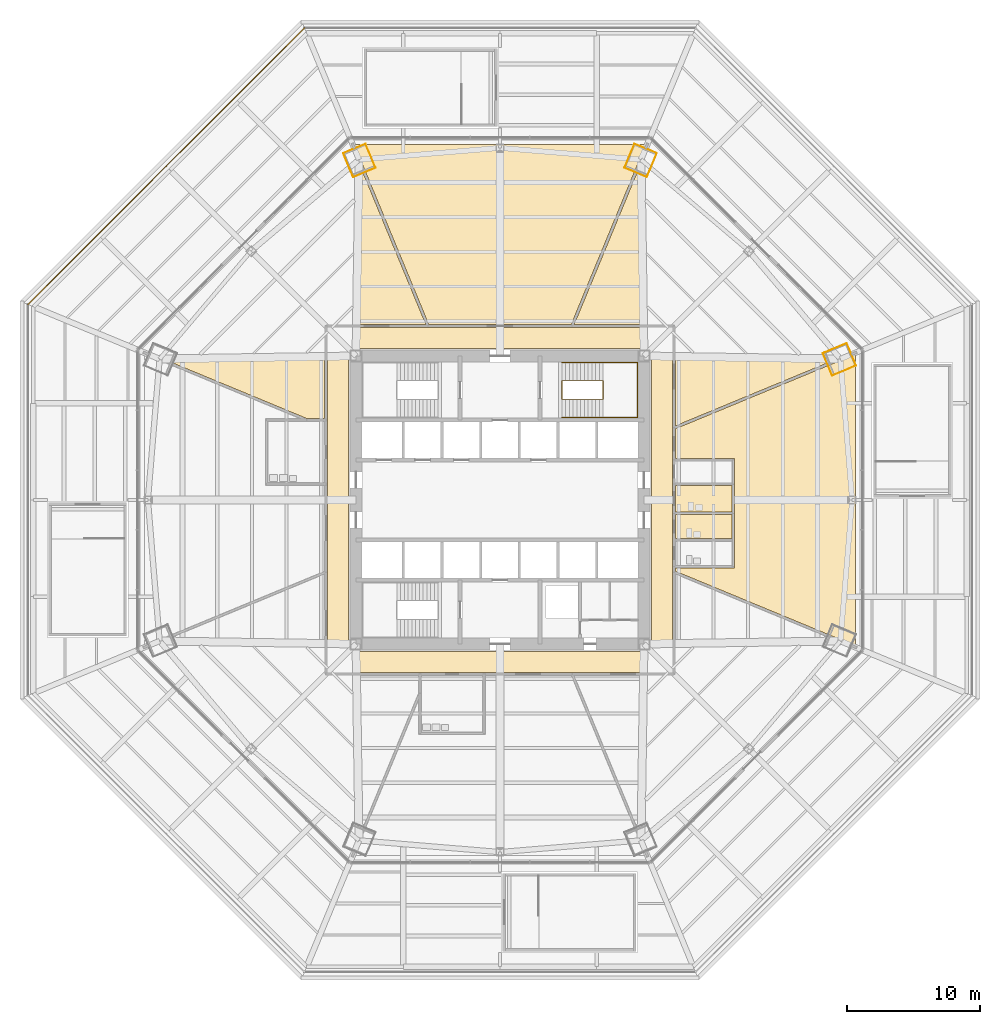
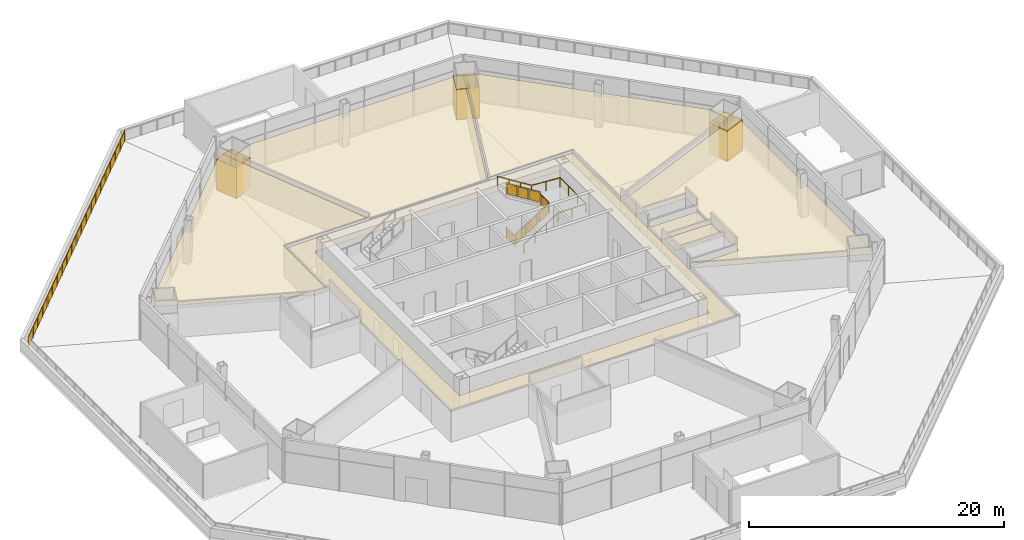
# One storey, part 22 of 25: 10 coverings, 3 railings.
"""IFC4 building model written with IfcOpenShell, lengths in metres."""

from ifc_helpers import new_model, si_unit, direction, frame, origin, origin_2d, place, context, subcontext, project, spatial, polyline, circle, outline, extrude, material, layer, layer_set, type_object, element, save


model = new_model("IFC4")

# Units and contexts
model_context = context("Model", 3, precision=1e-05, world=origin(), true_north=direction((0.0, 1.0)))
body_context = subcontext(model_context, "Body", "Model", "MODEL_VIEW")
ifc_project = project(units=[si_unit("LENGTHUNIT", "METRE"), si_unit("AREAUNIT", "SQUARE_METRE"), si_unit("VOLUMEUNIT", "CUBIC_METRE"), si_unit("PLANEANGLEUNIT", "RADIAN"), si_unit("MASSUNIT", "GRAM", prefix="KILO")], contexts=[model_context])

# Site, building, storey
site_placement = place(None, origin())
site = spatial("IfcSite", under=ifc_project, at=site_placement, CompositionType="ELEMENT")
building_placement = place(site_placement, origin())
building = spatial("IfcBuilding", under=site, at=building_placement, Name="Mashrafa Tower", CompositionType="ELEMENT")
storey_placement = place(building_placement, frame((0.0, 0.0, 28.800048828125)))
storey = spatial("IfcBuildingStorey", under=building, at=storey_placement, Name="L05", CompositionType="ELEMENT", Elevation=28.800048828125)

# Coverings
ifc_material_1 = material(Name="Gypsum board")
ifc_layer_1 = layer(ifc_material_1, 0.014892578125)
ifc_layer_set_1 = layer_set([ifc_layer_1], Name="Column casing plasterboard 15")
covering_type_1 = type_object("IfcCoveringType", Name="Column casing plasterboard 15", PredefinedType="CLADDING", material=ifc_layer_set_1)
covering_1_placement = place(storey_placement, origin())
element("IfcCovering", 1, at=covering_1_placement, inside=storey, type_object=covering_type_1, Name="Column casing L05-001", PredefinedType="CLADDING", context=body_context, shape_type="SweptSolid", body=[
    extrude(outline(polyline([(24.20703125, 11.017333984375), (24.33984375, 11.072265625), (26.017333984375, 11.76708984375), (26.7177734375, 10.076416015625), (26.5849609375, 10.021484375), (24.907470703125, 9.32666015625), (24.20703125, 11.017333984375)]), holes=[polyline([(26.579345703125, 10.035400390625), (26.697998046875, 10.084716796875), (26.00927734375, 11.74755859375), (24.345458984375, 11.058349609375), (24.226806640625, 11.00927734375), (24.91552734375, 9.34619140625), (26.579345703125, 10.035400390625)])]), origin(), (0.0, 0.0, 1.0), 2.949951171875),
])
covering_2_placement = place(storey_placement, origin())
element("IfcCovering", 2, at=covering_2_placement, inside=storey, type_object=covering_type_1, Name="Column casing L05-002", PredefinedType="CLADDING", context=body_context, shape_type="SweptSolid", body=[
    extrude(outline(polyline([(9.32666015625, 24.907470703125), (10.021484375, 26.5849609375), (10.076416015625, 26.7177734375), (11.76708984375, 26.017333984375), (11.072265625, 24.33984375), (11.017333984375, 24.20703125), (9.32666015625, 24.907470703125)]), holes=[polyline([(11.058349609375, 24.345458984375), (11.74755859375, 26.00927734375), (10.084716796875, 26.697998046875), (10.035400390625, 26.579345703125), (9.34619140625, 24.91552734375), (11.00927734375, 24.226806640625), (11.058349609375, 24.345458984375)])]), origin(), (0.0, 0.0, 1.0), 2.949951171875),
])
covering_3_placement = place(storey_placement, origin())
element("IfcCovering", 3, at=covering_3_placement, inside=storey, type_object=covering_type_1, Name="Column casing L05-003", PredefinedType="CLADDING", context=body_context, shape_type="SweptSolid", body=[
    extrude(outline(polyline([(-11.072265625, 24.33984375), (-11.76708984375, 26.017333984375), (-10.076416015625, 26.7177734375), (-10.021484375, 26.5849609375), (-9.32666015625, 24.907470703125), (-11.017333984375, 24.20703125), (-11.072265625, 24.33984375)]), holes=[polyline([(-9.34619140625, 24.91552734375), (-10.035400390625, 26.579345703125), (-10.084716796875, 26.697998046875), (-11.74755859375, 26.00927734375), (-11.058349609375, 24.345458984375), (-11.00927734375, 24.226806640625), (-9.34619140625, 24.91552734375)])]), origin(), (0.0, 0.0, 1.0), 2.949951171875),
])

# Railings
ifc_material_2 = material(Name="Stainless steel guard with glass infill", Category="steel")
railing_type_1 = type_object("IfcRailingType", Name="Roof garden guard 1100 high", PredefinedType="GUARDRAIL", material=ifc_material_2)
railing_1_placement = place(storey_placement, frame((-14.6630859375, 35.39990234375, 0.0)))
element("IfcRailing", 4, at=railing_1_placement, inside=storey, type_object=railing_type_1, Name="Roof garden guard L05 north-west", PredefinedType="GUARDRAIL", context=body_context, shape_type="SweptSolid", body=[
    extrude(circle(Radius=0.02392578125, at=origin_2d()), frame((0.0, 0.0, 1.076171875), z_axis=(-0.707106781187, -0.707106781187, 0.0), x_axis=(0.707106781187, -0.707106781187, 0.0)), (0.0, 0.0, 1.0), 29.326171875),
    extrude(circle(Radius=0.02099609375, at=origin_2d()), origin(), (0.0, 0.0, 1.0), 1.052001953125),
    extrude(circle(Radius=0.02099609375, at=origin_2d()), frame((-1.036865234375, -1.036865234375, 0.0)), (0.0, 0.0, 1.0), 1.052001953125),
    extrude(circle(Radius=0.02099609375, at=origin_2d()), frame((-2.07373046875, -2.07373046875, 0.0)), (0.0, 0.0, 1.0), 1.052001953125),
    extrude(circle(Radius=0.02099609375, at=origin_2d()), frame((-3.110595703125, -3.110595703125, 0.0)), (0.0, 0.0, 1.0), 1.052001953125),
    extrude(circle(Radius=0.02099609375, at=origin_2d()), frame((-4.1474609375, -4.1474609375, 0.0)), (0.0, 0.0, 1.0), 1.052001953125),
    extrude(circle(Radius=0.02099609375, at=origin_2d()), frame((-5.18408203125, -5.18408203125, 0.0)), (0.0, 0.0, 1.0), 1.052001953125),
    extrude(circle(Radius=0.02099609375, at=origin_2d()), frame((-6.220947265625, -6.220947265625, 0.0)), (0.0, 0.0, 1.0), 1.052001953125),
    extrude(circle(Radius=0.02099609375, at=origin_2d()), frame((-7.2578125, -7.2578125, 0.0)), (0.0, 0.0, 1.0), 1.052001953125),
    extrude(circle(Radius=0.02099609375, at=origin_2d()), frame((-8.294677734375, -8.294677734375, 0.0)), (0.0, 0.0, 1.0), 1.052001953125),
    extrude(circle(Radius=0.02099609375, at=origin_2d()), frame((-9.33154296875, -9.33154296875, 0.0)), (0.0, 0.0, 1.0), 1.052001953125),
    extrude(circle(Radius=0.02099609375, at=origin_2d()), frame((-10.368408203125, -10.368408203125, 0.0)), (0.0, 0.0, 1.0), 1.052001953125),
    extrude(circle(Radius=0.02099609375, at=origin_2d()), frame((-11.4052734375, -11.4052734375, 0.0)), (0.0, 0.0, 1.0), 1.052001953125),
    extrude(circle(Radius=0.02099609375, at=origin_2d()), frame((-12.442138671875, -12.442138671875, 0.0)), (0.0, 0.0, 1.0), 1.052001953125),
    extrude(circle(Radius=0.02099609375, at=origin_2d()), frame((-13.47900390625, -13.47900390625, 0.0)), (0.0, 0.0, 1.0), 1.052001953125),
    extrude(circle(Radius=0.02099609375, at=origin_2d()), frame((-14.515869140625, -14.515869140625, 0.0)), (0.0, 0.0, 1.0), 1.052001953125),
    extrude(circle(Radius=0.02099609375, at=origin_2d()), frame((-15.552734375, -15.552734375, 0.0)), (0.0, 0.0, 1.0), 1.052001953125),
    extrude(circle(Radius=0.02099609375, at=origin_2d()), frame((-16.58935546875, -16.58935546875, 0.0)), (0.0, 0.0, 1.0), 1.052001953125),
    extrude(circle(Radius=0.02099609375, at=origin_2d()), frame((-17.626220703125, -17.626220703125, 0.0)), (0.0, 0.0, 1.0), 1.052001953125),
    extrude(circle(Radius=0.02099609375, at=origin_2d()), frame((-18.6630859375, -18.6630859375, 0.0)), (0.0, 0.0, 1.0), 1.052001953125),
    extrude(circle(Radius=0.02099609375, at=origin_2d()), frame((-19.699951171875, -19.699951171875, 0.0)), (0.0, 0.0, 1.0), 1.052001953125),
    extrude(circle(Radius=0.02099609375, at=origin_2d()), frame((-20.73681640625, -20.73681640625, 0.0)), (0.0, 0.0, 1.0), 1.052001953125),
    extrude(outline(polyline([(0.071044921875, 0.050048828125), (1.395263671875, 0.050048828125), (1.395263671875, 1.001953125), (0.071044921875, 1.001953125), (0.071044921875, 0.050048828125)])), frame((-0.004150390625, 0.004150390625, 0.0), z_axis=(-0.707106781187, 0.707106781187, 0.0), x_axis=(-0.707106781187, -0.707106781187, 0.0)), (0.0, 0.0, 1.0), 0.011962890625),
    extrude(outline(polyline([(1.537353515625, 0.050048828125), (2.861572265625, 0.050048828125), (2.861572265625, 1.001953125), (1.537353515625, 1.001953125), (1.537353515625, 0.050048828125)])), frame((-0.004150390625, 0.004150390625, 0.0), z_axis=(-0.707106781187, 0.707106781187, 0.0), x_axis=(-0.707106781187, -0.707106781187, 0.0)), (0.0, 0.0, 1.0), 0.011962890625),
    extrude(outline(polyline([(3.003662109375, 0.050048828125), (4.327880859375, 0.050048828125), (4.327880859375, 1.001953125), (3.003662109375, 1.001953125), (3.003662109375, 0.050048828125)])), frame((-0.004150390625, 0.004150390625, 0.0), z_axis=(-0.707106781187, 0.707106781187, 0.0), x_axis=(-0.707106781187, -0.707106781187, 0.0)), (0.0, 0.0, 1.0), 0.011962890625),
    extrude(outline(polyline([(4.469970703125, 0.050048828125), (5.794189453125, 0.050048828125), (5.794189453125, 1.001953125), (4.469970703125, 1.001953125), (4.469970703125, 0.050048828125)])), frame((-0.004150390625, 0.004150390625, 0.0), z_axis=(-0.707106781187, 0.707106781187, 0.0), x_axis=(-0.707106781187, -0.707106781187, 0.0)), (0.0, 0.0, 1.0), 0.011962890625),
    extrude(outline(polyline([(5.936279296875, 0.050048828125), (7.260498046875, 0.050048828125), (7.260498046875, 1.001953125), (5.936279296875, 1.001953125), (5.936279296875, 0.050048828125)])), frame((-0.004150390625, 0.004150390625, 0.0), z_axis=(-0.707106781187, 0.707106781187, 0.0), x_axis=(-0.707106781187, -0.707106781187, 0.0)), (0.0, 0.0, 1.0), 0.011962890625),
    extrude(outline(polyline([(7.402587890625, 0.050048828125), (8.726806640625, 0.050048828125), (8.726806640625, 1.001953125), (7.402587890625, 1.001953125), (7.402587890625, 0.050048828125)])), frame((-0.004150390625, 0.004150390625, 0.0), z_axis=(-0.707106781187, 0.707106781187, 0.0), x_axis=(-0.707106781187, -0.707106781187, 0.0)), (0.0, 0.0, 1.0), 0.011962890625),
    extrude(outline(polyline([(8.868896484375, 0.050048828125), (10.193115234375, 0.050048828125), (10.193115234375, 1.001953125), (8.868896484375, 1.001953125), (8.868896484375, 0.050048828125)])), frame((-0.004150390625, 0.004150390625, 0.0), z_axis=(-0.707106781187, 0.707106781187, 0.0), x_axis=(-0.707106781187, -0.707106781187, 0.0)), (0.0, 0.0, 1.0), 0.011962890625),
    extrude(outline(polyline([(10.335205078125, 0.050048828125), (11.659423828125, 0.050048828125), (11.659423828125, 1.001953125), (10.335205078125, 1.001953125), (10.335205078125, 0.050048828125)])), frame((-0.004150390625, 0.004150390625, 0.0), z_axis=(-0.707106781187, 0.707106781187, 0.0), x_axis=(-0.707106781187, -0.707106781187, 0.0)), (0.0, 0.0, 1.0), 0.011962890625),
    extrude(outline(polyline([(11.801513671875, 0.050048828125), (13.125732421875, 0.050048828125), (13.125732421875, 1.001953125), (11.801513671875, 1.001953125), (11.801513671875, 0.050048828125)])), frame((-0.004150390625, 0.004150390625, 0.0), z_axis=(-0.707106781187, 0.707106781187, 0.0), x_axis=(-0.707106781187, -0.707106781187, 0.0)), (0.0, 0.0, 1.0), 0.011962890625),
    extrude(outline(polyline([(13.267822265625, 0.050048828125), (14.592041015625, 0.050048828125), (14.592041015625, 1.001953125), (13.267822265625, 1.001953125), (13.267822265625, 0.050048828125)])), frame((-0.004150390625, 0.004150390625, 0.0), z_axis=(-0.707106781187, 0.707106781187, 0.0), x_axis=(-0.707106781187, -0.707106781187, 0.0)), (0.0, 0.0, 1.0), 0.011962890625),
    extrude(outline(polyline([(14.734130859375, 0.050048828125), (16.058349609375, 0.050048828125), (16.058349609375, 1.001953125), (14.734130859375, 1.001953125), (14.734130859375, 0.050048828125)])), frame((-0.004150390625, 0.004150390625, 0.0), z_axis=(-0.707106781187, 0.707106781187, 0.0), x_axis=(-0.707106781187, -0.707106781187, 0.0)), (0.0, 0.0, 1.0), 0.011962890625),
    extrude(outline(polyline([(16.200439453125, 0.050048828125), (17.524658203125, 0.050048828125), (17.524658203125, 1.001953125), (16.200439453125, 1.001953125), (16.200439453125, 0.050048828125)])), frame((-0.004150390625, 0.004150390625, 0.0), z_axis=(-0.707106781187, 0.707106781187, 0.0), x_axis=(-0.707106781187, -0.707106781187, 0.0)), (0.0, 0.0, 1.0), 0.011962890625),
    extrude(outline(polyline([(17.666748046875, 0.050048828125), (18.9912109375, 0.050048828125), (18.9912109375, 1.001953125), (17.666748046875, 1.001953125), (17.666748046875, 0.050048828125)])), frame((-0.004150390625, 0.004150390625, 0.0), z_axis=(-0.707106781187, 0.707106781187, 0.0), x_axis=(-0.707106781187, -0.707106781187, 0.0)), (0.0, 0.0, 1.0), 0.011962890625),
    extrude(outline(polyline([(19.133056640625, 0.050048828125), (20.45751953125, 0.050048828125), (20.45751953125, 1.001953125), (19.133056640625, 1.001953125), (19.133056640625, 0.050048828125)])), frame((-0.004150390625, 0.004150390625, 0.0), z_axis=(-0.707106781187, 0.707106781187, 0.0), x_axis=(-0.707106781187, -0.707106781187, 0.0)), (0.0, 0.0, 1.0), 0.011962890625),
    extrude(outline(polyline([(20.599365234375, 0.050048828125), (21.923828125, 0.050048828125), (21.923828125, 1.001953125), (20.599365234375, 1.001953125), (20.599365234375, 0.050048828125)])), frame((-0.004150390625, 0.004150390625, 0.0), z_axis=(-0.707106781187, 0.707106781187, 0.0), x_axis=(-0.707106781187, -0.707106781187, 0.0)), (0.0, 0.0, 1.0), 0.011962890625),
    extrude(outline(polyline([(22.065673828125, 0.050048828125), (23.39013671875, 0.050048828125), (23.39013671875, 1.001953125), (22.065673828125, 1.001953125), (22.065673828125, 0.050048828125)])), frame((-0.004150390625, 0.004150390625, 0.0), z_axis=(-0.707106781187, 0.707106781187, 0.0), x_axis=(-0.707106781187, -0.707106781187, 0.0)), (0.0, 0.0, 1.0), 0.011962890625),
    extrude(outline(polyline([(23.531982421875, 0.050048828125), (24.8564453125, 0.050048828125), (24.8564453125, 1.001953125), (23.531982421875, 1.001953125), (23.531982421875, 0.050048828125)])), frame((-0.004150390625, 0.004150390625, 0.0), z_axis=(-0.707106781187, 0.707106781187, 0.0), x_axis=(-0.707106781187, -0.707106781187, 0.0)), (0.0, 0.0, 1.0), 0.011962890625),
    extrude(outline(polyline([(24.998291015625, 0.050048828125), (26.32275390625, 0.050048828125), (26.32275390625, 1.001953125), (24.998291015625, 1.001953125), (24.998291015625, 0.050048828125)])), frame((-0.004150390625, 0.004150390625, 0.0), z_axis=(-0.707106781187, 0.707106781187, 0.0), x_axis=(-0.707106781187, -0.707106781187, 0.0)), (0.0, 0.0, 1.0), 0.011962890625),
    extrude(outline(polyline([(26.464599609375, 0.050048828125), (27.7890625, 0.050048828125), (27.7890625, 1.001953125), (26.464599609375, 1.001953125), (26.464599609375, 0.050048828125)])), frame((-0.004150390625, 0.004150390625, 0.0), z_axis=(-0.707106781187, 0.707106781187, 0.0), x_axis=(-0.707106781187, -0.707106781187, 0.0)), (0.0, 0.0, 1.0), 0.011962890625),
    extrude(outline(polyline([(27.930908203125, 0.050048828125), (29.25537109375, 0.050048828125), (29.25537109375, 1.001953125), (27.930908203125, 1.001953125), (27.930908203125, 0.050048828125)])), frame((-0.004150390625, 0.004150390625, 0.0), z_axis=(-0.707106781187, 0.707106781187, 0.0), x_axis=(-0.707106781187, -0.707106781187, 0.0)), (0.0, 0.0, 1.0), 0.011962890625),
])
ifc_material_3 = material(Name="Steel guard with glass infill", Category="steel")
railing_type_2 = type_object("IfcRailingType", Name="Stair guard 1100", PredefinedType="GUARDRAIL", material=ifc_material_3)
railing_2_placement = place(storey_placement, frame((4.64990234375, 8.949951171875, 0.0)))
element("IfcRailing", 5, at=railing_2_placement, inside=storey, type_object=railing_type_2, Name="Stair S2 guard L05", PredefinedType="GUARDRAIL", context=body_context, shape_type="SweptSolid", body=[
    extrude(circle(Radius=0.02392578125, at=origin_2d()), frame((0.0, 0.0, 1.076171875), z_axis=(0.0, -1.0, 0.0), x_axis=(1.0, 0.0, 0.0)), (0.0, 0.0, 1.0), 1.39990234375),
    extrude(circle(Radius=0.02392578125, at=origin_2d()), frame((0.0, -1.39990234375, 1.076171875), z_axis=(0.0, 0.0, 1.0), x_axis=(1.0, 0.0, 0.0)), (0.0, 0.0, 1.0), 0.175048828125),
    extrude(circle(Radius=0.02392578125, at=origin_2d()), frame((0.0, -1.39990234375, 1.2509765625), z_axis=(0.848028513186, 0.0, 0.529950602248), x_axis=(0.0, 1.0, 0.0)), (0.0, 0.0, 1.0), 3.632080078125),
    extrude(circle(Radius=0.02392578125, at=origin_2d()), frame((3.080078125, -1.39990234375, 3.17578125), z_axis=(0.0, 1.0, 0.0), x_axis=(-1.0, 0.0, 0.0)), (0.0, 0.0, 1.0), 1.39990234375),
    extrude(circle(Radius=0.02392578125, at=origin_2d()), frame((3.080078125, 0.0, 3.17578125), z_axis=(0.0, 0.0, 1.0), x_axis=(1.0, 0.0, 0.0)), (0.0, 0.0, 1.0), 0.175048828125),
    extrude(circle(Radius=0.02392578125, at=origin_2d()), frame((3.080078125, 0.0, 3.35107421875), z_axis=(-0.847998304005, 0.0, 0.529998940003), x_axis=(0.0, -1.0, 0.0)), (0.0, 0.0, 1.0), 3.632080078125),
    extrude(circle(Radius=0.02099609375, at=origin_2d()), origin(), (0.0, 0.0, 1.0), 1.052001953125),
    extrude(circle(Radius=0.02099609375, at=origin_2d()), frame((0.0, -1.39990234375, 0.0)), (0.0, 0.0, 1.0), 1.052001953125),
    extrude(circle(Radius=0.02099609375, at=origin_2d()), frame((0.0, -1.39990234375, 0.175048828125)), (0.0, 0.0, 1.0), 1.052001953125),
    extrude(circle(Radius=0.02099609375, at=origin_2d()), frame((1.026611328125, -1.39990234375, 0.816650390625)), (0.0, 0.0, 1.0), 1.052001953125),
    extrude(circle(Radius=0.02099609375, at=origin_2d()), frame((2.053466796875, -1.39990234375, 1.458251953125)), (0.0, 0.0, 1.0), 1.052001953125),
    extrude(circle(Radius=0.02099609375, at=origin_2d()), frame((3.080078125, -1.39990234375, 2.099853515625)), (0.0, 0.0, 1.0), 1.052001953125),
    extrude(circle(Radius=0.02099609375, at=origin_2d()), frame((3.080078125, 0.0, 2.099853515625)), (0.0, 0.0, 1.0), 1.052001953125),
    extrude(circle(Radius=0.02099609375, at=origin_2d()), frame((3.080078125, 0.0, 2.27490234375)), (0.0, 0.0, 1.0), 1.052001953125),
    extrude(circle(Radius=0.02099609375, at=origin_2d()), frame((2.053466796875, 0.0, 2.91650390625)), (0.0, 0.0, 1.0), 1.052001953125),
    extrude(circle(Radius=0.02099609375, at=origin_2d()), frame((1.026611328125, 0.0, 3.558349609375)), (0.0, 0.0, 1.0), 1.052001953125),
    extrude(circle(Radius=0.02099609375, at=origin_2d()), frame((0.0, 0.0, 4.199951171875)), (0.0, 0.0, 1.0), 1.052001953125),
    extrude(outline(polyline([(0.071044921875, 0.050048828125), (1.328857421875, 0.050048828125), (1.328857421875, 1.001953125), (0.071044921875, 1.001953125), (0.071044921875, 0.050048828125)])), frame((-0.006103515625, 0.0, 0.0), z_axis=(-1.0, 0.0, 0.0), x_axis=(0.0, -1.0, 0.0)), (0.0, 0.0, 1.0), 0.011962890625),
    extrude(outline(polyline([(0.071044921875, 0.094482421875), (0.955810546875, 0.647216796875), (0.955810546875, 1.59912109375), (0.071044921875, 1.04638671875), (0.071044921875, 0.094482421875)])), frame((0.0, -1.406005859375, 0.175048828125), z_axis=(0.0, -1.0, 0.0), x_axis=(1.0, 0.0, 0.0)), (0.0, 0.0, 1.0), 0.011962890625),
    extrude(outline(polyline([(1.09765625, 0.736083984375), (1.982421875, 1.288818359375), (1.982421875, 2.24072265625), (1.09765625, 1.68798828125), (1.09765625, 0.736083984375)])), frame((0.0, -1.406005859375, 0.175048828125), z_axis=(0.0, -1.0, 0.0), x_axis=(1.0, 0.0, 0.0)), (0.0, 0.0, 1.0), 0.011962890625),
    extrude(outline(polyline([(2.124267578125, 1.377685546875), (3.009033203125, 1.930419921875), (3.009033203125, 2.88232421875), (2.124267578125, 2.32958984375), (2.124267578125, 1.377685546875)])), frame((0.0, -1.406005859375, 0.175048828125), z_axis=(0.0, -1.0, 0.0), x_axis=(1.0, 0.0, 0.0)), (0.0, 0.0, 1.0), 0.011962890625),
    extrude(outline(polyline([(0.071044921875, 0.050048828125), (1.328857421875, 0.050048828125), (1.328857421875, 1.001953125), (0.071044921875, 1.001953125), (0.071044921875, 0.050048828125)])), frame((3.086181640625, -1.39990234375, 2.099853515625), z_axis=(1.0, 0.0, 0.0), x_axis=(0.0, 1.0, 0.0)), (0.0, 0.0, 1.0), 0.011962890625),
    extrude(outline(polyline([(0.071044921875, 0.094482421875), (0.955810546875, 0.647216796875), (0.955810546875, 1.599365234375), (0.071044921875, 1.04638671875), (0.071044921875, 0.094482421875)])), frame((3.080078125, 0.006103515625, 2.27490234375), z_axis=(0.0, 1.0, 0.0), x_axis=(-1.0, 0.0, 0.0)), (0.0, 0.0, 1.0), 0.011962890625),
    extrude(outline(polyline([(1.09765625, 0.736083984375), (1.982421875, 1.2890625), (1.982421875, 2.240966796875), (1.09765625, 1.68798828125), (1.09765625, 0.736083984375)])), frame((3.080078125, 0.006103515625, 2.27490234375), z_axis=(0.0, 1.0, 0.0), x_axis=(-1.0, 0.0, 0.0)), (0.0, 0.0, 1.0), 0.011962890625),
    extrude(outline(polyline([(2.124267578125, 1.377685546875), (3.009033203125, 1.9306640625), (3.009033203125, 2.882568359375), (2.124267578125, 2.329833984375), (2.124267578125, 1.377685546875)])), frame((3.080078125, 0.006103515625, 2.27490234375), z_axis=(0.0, 1.0, 0.0), x_axis=(-1.0, 0.0, 0.0)), (0.0, 0.0, 1.0), 0.011962890625),
])
ifc_material_4 = material(Name="Steel", Category="steel")
railing_type_3 = type_object("IfcRailingType", Name="Stair handrail 900", PredefinedType="HANDRAIL", material=ifc_material_4)
railing_3_placement = place(storey_placement, frame((4.64990234375, 6.199951171875, 0.175048828125)))
element("IfcRailing", 6, at=railing_3_placement, inside=storey, type_object=railing_type_3, Name="Stair S2 handrail L05", PredefinedType="HANDRAIL", context=body_context, shape_type="SweptSolid", body=[
    extrude(circle(Radius=0.02392578125, at=origin_2d()), frame((0.0, 0.0, 0.8759765625), z_axis=(0.848028513186, 0.0, 0.529950602248), x_axis=(0.0, 1.0, 0.0)), (0.0, 0.0, 1.0), 3.632080078125),
    extrude(circle(Radius=0.02392578125, at=origin_2d()), frame((3.080078125, 0.0, 2.80078125), z_axis=(1.0, 0.0, 0.0), x_axis=(0.0, 1.0, 0.0)), (0.0, 0.0, 1.0), 2.570068359375),
    extrude(circle(Radius=0.02392578125, at=origin_2d()), frame((5.650146484375, 0.0, 2.80078125), z_axis=(0.0, 1.0, 0.0), x_axis=(-1.0, 0.0, 0.0)), (0.0, 0.0, 1.0), 4.10009765625),
    extrude(circle(Radius=0.02392578125, at=origin_2d()), frame((5.650146484375, 4.10009765625, 2.80078125), z_axis=(-0.997688514158, 0.0, 0.067953136188), x_axis=(0.0, -1.0, 0.0)), (0.0, 0.0, 1.0), 2.575927734375),
    extrude(circle(Radius=0.02392578125, at=origin_2d()), frame((3.080078125, 4.10009765625, 2.9755859375), z_axis=(-0.847998304005, 0.0, 0.529998940003), x_axis=(0.0, -1.0, 0.0)), (0.0, 0.0, 1.0), 3.632080078125),
    extrude(circle(Radius=0.02099609375, at=origin_2d()), origin(), (0.0, 0.0, 1.0), 0.851806640625),
    extrude(circle(Radius=0.02099609375, at=origin_2d()), frame((1.026611328125, 0.0, 0.6416015625)), (0.0, 0.0, 1.0), 0.851806640625),
    extrude(circle(Radius=0.02099609375, at=origin_2d()), frame((2.053466796875, 0.0, 1.283203125)), (0.0, 0.0, 1.0), 0.851806640625),
    extrude(circle(Radius=0.02099609375, at=origin_2d()), frame((3.080078125, 0.0, 1.9248046875)), (0.0, 0.0, 1.0), 0.851806640625),
    extrude(circle(Radius=0.02099609375, at=origin_2d()), frame((4.365234375, 0.0, 1.9248046875)), (0.0, 0.0, 1.0), 0.851806640625),
    extrude(circle(Radius=0.02099609375, at=origin_2d()), frame((5.650146484375, 0.0, 1.9248046875)), (0.0, 0.0, 1.0), 0.851806640625),
    extrude(circle(Radius=0.02099609375, at=origin_2d()), frame((5.650146484375, 1.36669921875, 1.9248046875)), (0.0, 0.0, 1.0), 0.851806640625),
    extrude(circle(Radius=0.02099609375, at=origin_2d()), frame((5.650146484375, 2.7333984375, 1.9248046875)), (0.0, 0.0, 1.0), 0.851806640625),
    extrude(circle(Radius=0.02099609375, at=origin_2d()), frame((5.650146484375, 4.10009765625, 1.9248046875)), (0.0, 0.0, 1.0), 0.851806640625),
    extrude(circle(Radius=0.02099609375, at=origin_2d()), frame((4.365234375, 4.10009765625, 2.01220703125)), (0.0, 0.0, 1.0), 0.851806640625),
    extrude(circle(Radius=0.02099609375, at=origin_2d()), frame((3.080078125, 4.10009765625, 2.099853515625)), (0.0, 0.0, 1.0), 0.851806640625),
    extrude(circle(Radius=0.02099609375, at=origin_2d()), frame((2.053466796875, 4.10009765625, 2.741455078125)), (0.0, 0.0, 1.0), 0.851806640625),
    extrude(circle(Radius=0.02099609375, at=origin_2d()), frame((1.026611328125, 4.10009765625, 3.38330078125)), (0.0, 0.0, 1.0), 0.851806640625),
    extrude(circle(Radius=0.02099609375, at=origin_2d()), frame((0.0, 4.10009765625, 4.02490234375)), (0.0, 0.0, 1.0), 0.851806640625),
])

# Coverings
ifc_material_5 = material(Name="Gypsum board on suspension grid")
ifc_layer_2 = layer(ifc_material_5, 0.012451171875)
ifc_layer_set_2 = layer_set([ifc_layer_2], Name="Suspended ceiling gypsum 12.5")
covering_type_2 = type_object("IfcCoveringType", Name="Suspended ceiling gypsum 12.5", PredefinedType="CEILING", material=ifc_layer_set_2)
covering_4_placement = place(storey_placement, frame((0.0, 0.0, 3.0)))
element("IfcCovering", 7, at=covering_4_placement, inside=storey, type_object=covering_type_2, Name="Ceiling WC Male L05", PredefinedType="CEILING", context=body_context, shape_type="SweptSolid", body=[
    extrude(outline(polyline([(13.14990234375, -2.89990234375), (13.14990234375, -1.10009765625), (17.39990234375, -1.10009765625), (17.39990234375, -2.89990234375), (13.14990234375, -2.89990234375)])), origin(), (0.0, 0.0, 1.0), 0.012451171875),
])
covering_5_placement = place(storey_placement, frame((0.0, 0.0, 2.800048828125)))
element("IfcCovering", 8, at=covering_5_placement, inside=storey, type_object=covering_type_2, Name="Ceiling Accessible WC L05", PredefinedType="CEILING", context=body_context, shape_type="SweptSolid", body=[
    extrude(outline(polyline([(13.14990234375, -0.89990234375), (13.14990234375, 1.10009765625), (17.39990234375, 1.10009765625), (17.39990234375, -0.89990234375), (13.14990234375, -0.89990234375)])), origin(), (0.0, 0.0, 1.0), 0.012451171875),
])
covering_6_placement = place(storey_placement, frame((0.0, 0.0, 2.800048828125)))
element("IfcCovering", 9, at=covering_6_placement, inside=storey, type_object=covering_type_2, Name="Ceiling Ring Corridor L05", PredefinedType="CEILING", context=body_context, shape_type="SweptSolid", body=[
    extrude(outline(polyline([(12.949951171875, -12.949951171875), (-12.949951171875, -12.949951171875), (-12.949951171875, 12.949951171875), (12.949951171875, 12.949951171875), (12.949951171875, -12.949951171875)]), holes=[polyline([(-11.35009765625, 11.35009765625), (-11.35009765625, -11.35009765625), (11.35009765625, -11.35009765625), (11.35009765625, 11.35009765625), (-11.35009765625, 11.35009765625)])]), origin(), (0.0, 0.0, 1.0), 0.012451171875),
])
covering_7_placement = place(storey_placement, frame((0.0, 0.0, 2.800048828125)))
element("IfcCovering", 10, at=covering_7_placement, inside=storey, type_object=covering_type_2, Name="Ceiling Fitness Centre L05", PredefinedType="CEILING", context=body_context, shape_type="SweptSolid", body=[
    extrude(outline(polyline([(13.14990234375, -5.338623046875), (13.14990234375, -5.10009765625), (17.60009765625, -5.10009765625), (17.60009765625, 3.10009765625), (13.14990234375, 3.10009765625), (13.14990234375, 5.338623046875), (26.64990234375, 10.9306640625), (26.64990234375, -10.9306640625), (13.14990234375, -5.338623046875)])), origin(), (0.0, 0.0, 1.0), 0.012451171875),
])
covering_8_placement = place(storey_placement, frame((0.0, 0.0, 2.800048828125)))
element("IfcCovering", 11, at=covering_8_placement, inside=storey, type_object=covering_type_2, Name="Ceiling Tenant and Resident Lounge L05", PredefinedType="CEILING", context=body_context, shape_type="SweptSolid", body=[
    extrude(outline(polyline([(5.338623046875, 13.14990234375), (-5.338623046875, 13.14990234375), (-10.9306640625, 26.64990234375), (10.9306640625, 26.64990234375), (5.338623046875, 13.14990234375)])), origin(), (0.0, 0.0, 1.0), 0.012451171875),
])
covering_9_placement = place(storey_placement, frame((0.0, 0.0, 2.949951171875)))
element("IfcCovering", 12, at=covering_9_placement, inside=storey, type_object=covering_type_2, Name="Ceiling Winter Garden Lounge North-East L05", PredefinedType="CEILING", context=body_context, shape_type="SweptSolid", body=[
    extrude(outline(polyline([(13.14990234375, 5.55517578125), (13.14990234375, 13.14990234375), (5.55517578125, 13.14990234375), (11.115234375, 26.573486328125), (26.573486328125, 11.115234375), (13.14990234375, 5.55517578125)])), origin(), (0.0, 0.0, 1.0), 0.012451171875),
])
covering_10_placement = place(storey_placement, frame((0.0, 0.0, 2.949951171875)))
element("IfcCovering", 13, at=covering_10_placement, inside=storey, type_object=covering_type_2, Name="Ceiling Winter Garden Lounge North-West L05", PredefinedType="CEILING", context=body_context, shape_type="SweptSolid", body=[
    extrude(outline(polyline([(-5.55517578125, 13.14990234375), (-13.14990234375, 13.14990234375), (-13.14990234375, 6.10009765625), (-14.46533203125, 6.10009765625), (-26.573486328125, 11.115234375), (-11.115234375, 26.573486328125), (-5.55517578125, 13.14990234375)])), origin(), (0.0, 0.0, 1.0), 0.012451171875),
])

save(model, "model.ifc")
